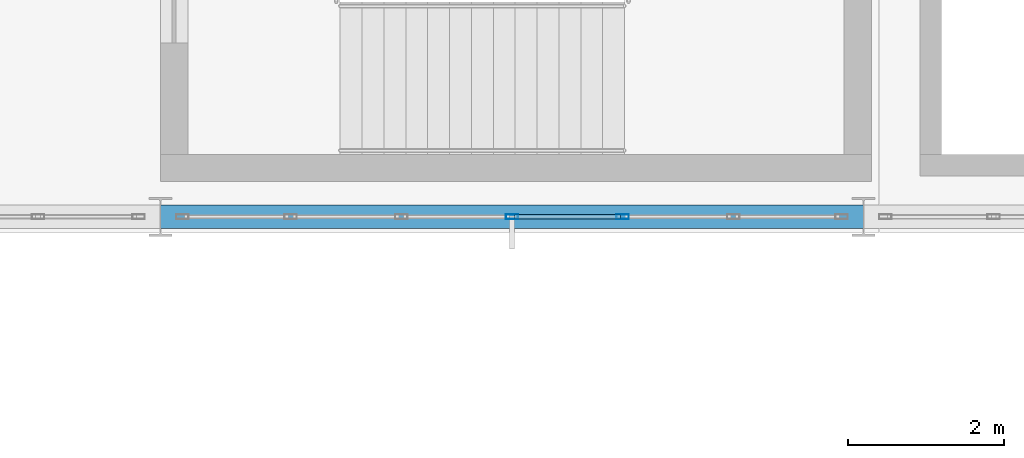
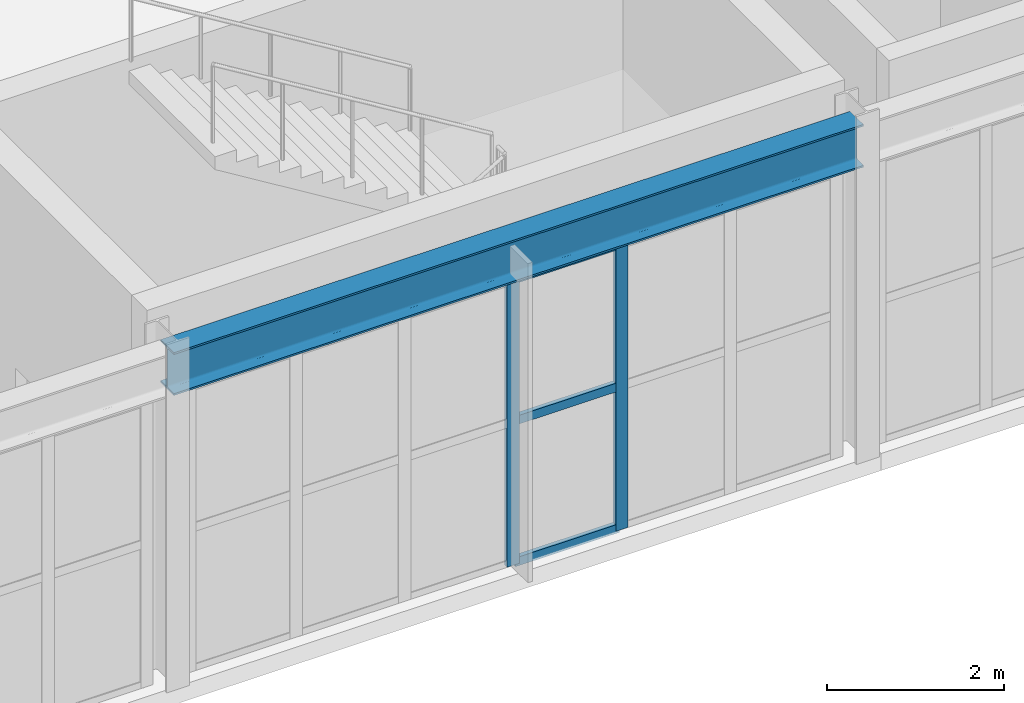
# One storey, part 26 of 112: 5 members, 1 beam, 1 element without a shape of its own.
"""IFC4 building model written with IfcOpenShell, lengths in metres."""

from ifc_helpers import new_model, si_unit, direction, frame, origin, origin_2d, place, context, subcontext, project, spatial, hollow_rectangle, i_section, extrude, material, material_profile, profile_set, type_object, element, aggregate, save


model = new_model("IFC4")

# Units and contexts
model_context = context("Model", 3, precision=1e-05, world=origin(), true_north=direction((0.0, 1.0)))
body_context = subcontext(model_context, "Body", "Model", "MODEL_VIEW")
ifc_project = project(units=[si_unit("LENGTHUNIT", "METRE"), si_unit("AREAUNIT", "SQUARE_METRE"), si_unit("VOLUMEUNIT", "CUBIC_METRE"), si_unit("PLANEANGLEUNIT", "RADIAN"), si_unit("MASSUNIT", "GRAM", prefix="KILO")], contexts=[model_context])

# Site, building, storey
site_placement = place(None, origin())
site = spatial("IfcSite", under=ifc_project, at=site_placement, CompositionType="ELEMENT")
building_placement = place(site_placement, origin())
building = spatial("IfcBuilding", under=site, at=building_placement, Name="Kaldris Quays Convention Centre", CompositionType="ELEMENT")
storey_placement = place(building_placement, frame((0.0, 0.0, 16.800048828125)))
storey = spatial("IfcBuildingStorey", under=building, at=storey_placement, Name="L03", CompositionType="ELEMENT", Elevation=16.800048828125)

# Curtain wall, members
ifc_material_1 = material(Name="Anodized aluminium AW-6060 and triple glazing", Category="aluminium")
curtain_wall_type = type_object("IfcCurtainWallType", Name="UNITISED CURTAIN WALL CW04", PredefinedType="NOTDEFINED", material=ifc_material_1)
curtain_wall_placement = place(storey_placement, origin())
curtain_wall = element("IfcCurtainWall", 1, at=curtain_wall_placement, inside=storey, type_object=curtain_wall_type, Name="L03 Unitised Curtain Wall CW04 122", PredefinedType="NOTDEFINED")
ifc_material_2 = material(Name="Anodized aluminium AW-6060", Category="aluminium")
ifc_material_profile_1 = material_profile(ifc_material_2, hollow_rectangle(XDim=0.06005859375, YDim=0.159912109375, WallThickness=0.00390625, at=origin_2d()), Name="RHS 160x60x4")
ifc_profile_set_1 = profile_set([ifc_material_profile_1], Name="Anodized aluminium AW-6060")
member_type_1 = type_object("IfcMemberType", Name="CURTAIN MULLION CWM1", PredefinedType="MULLION", material=ifc_profile_set_1)
member_1_placement = place(storey_placement, frame((96.5, 38.0, 0.0), z_axis=(0.0, 0.0, 1.0), x_axis=(0.0, 1.0, 0.0)))
member_1 = element("IfcMember", 2, at=member_1_placement, type_object=member_type_1, Name="CW04 mullion 4", PredefinedType="MULLION", context=body_context, shape_type="SweptSolid", body=[
    extrude(hollow_rectangle(XDim=0.06005859375, YDim=0.159912109375, WallThickness=0.00390625, at=origin_2d()), origin(), (0.0, 0.0, 1.0), 3.96484375),
])
member_2_placement = place(storey_placement, frame((97.916748046875, 38.0, 0.0), z_axis=(0.0, 0.0, 1.0), x_axis=(0.0, 1.0, 0.0)))
member_2 = element("IfcMember", 3, at=member_2_placement, type_object=member_type_1, Name="CW04 mullion 5", PredefinedType="MULLION", context=body_context, shape_type="SweptSolid", body=[
    extrude(hollow_rectangle(XDim=0.06005859375, YDim=0.159912109375, WallThickness=0.00390625, at=origin_2d()), origin(), (0.0, 0.0, 1.0), 3.96484375),
])
ifc_material_profile_2 = material_profile(ifc_material_2, hollow_rectangle(XDim=0.06005859375, YDim=0.1201171875, WallThickness=0.00390625, at=origin_2d()), Name="RHS 120x60x4")
ifc_profile_set_2 = profile_set([ifc_material_profile_2], Name="Anodized aluminium AW-6060")
member_type_2 = type_object("IfcMemberType", Name="CURTAIN TRANSOM CWT1", PredefinedType="USERDEFINED", material=ifc_profile_set_2)
member_3_placement = place(storey_placement, frame((96.530029296875, 38.0, 0.030029296875), z_axis=(1.0, 0.0, 0.0), x_axis=(0.0, 1.0, 0.0)))
member_3 = element("IfcMember", 4, at=member_3_placement, type_object=member_type_2, Name="CW04 transom 4.1", ObjectType="TRANSOM", PredefinedType="USERDEFINED", context=body_context, shape_type="SweptSolid", body=[
    extrude(hollow_rectangle(XDim=0.06005859375, YDim=0.1201171875, WallThickness=0.00390625, at=origin_2d()), origin(), (0.0, 0.0, 1.0), 1.356689453125),
])
member_4_placement = place(storey_placement, frame((96.530029296875, 38.0, 1.98193359375), z_axis=(1.0, 0.0, 0.0), x_axis=(0.0, 1.0, 0.0)))
member_4 = element("IfcMember", 5, at=member_4_placement, type_object=member_type_2, Name="CW04 transom 4.2", ObjectType="TRANSOM", PredefinedType="USERDEFINED", context=body_context, shape_type="SweptSolid", body=[
    extrude(hollow_rectangle(XDim=0.06005859375, YDim=0.1201171875, WallThickness=0.00390625, at=origin_2d()), origin(), (0.0, 0.0, 1.0), 1.356689453125),
])
member_5_placement = place(storey_placement, frame((96.530029296875, 38.0, 3.93505859375), z_axis=(1.0, 0.0, 0.0), x_axis=(0.0, 1.0, 0.0)))
member_5 = element("IfcMember", 6, at=member_5_placement, type_object=member_type_2, Name="CW04 transom 4.3", ObjectType="TRANSOM", PredefinedType="USERDEFINED", context=body_context, shape_type="SweptSolid", body=[
    extrude(hollow_rectangle(XDim=0.06005859375, YDim=0.1201171875, WallThickness=0.00390625, at=origin_2d()), origin(), (0.0, 0.0, 1.0), 1.356689453125),
])
aggregate(curtain_wall, [member_1, member_2, member_3, member_4, member_5])

# Beam
ifc_material_3 = material(Name="Steel S355J2", Category="steel")
ifc_material_profile_3 = material_profile(ifc_material_3, i_section(OverallWidth=0.300048828125, OverallDepth=0.590087890625, WebThickness=0.012939453125, FlangeThickness=0.02490234375, FilletRadius=0.027099609375, at=origin_2d()), Name="HEA 600")
ifc_profile_set_3 = profile_set([ifc_material_profile_3], Name="Steel S355J2")
beam_type = type_object("IfcBeamType", Name="STRUCTURAL BEAM BM08", PredefinedType="BEAM", material=ifc_profile_set_3)
beam_placement = place(storey_placement, frame((92.001220703125, 38.0, 4.284912109375), z_axis=(1.0, 0.0, 0.0), x_axis=(0.0, 1.0, 0.0)))
element("IfcBeam", 7, at=beam_placement, inside=storey, type_object=beam_type, Name="L03 Girder BM08 2", PredefinedType="BEAM", context=body_context, shape_type="SweptSolid", body=[
    extrude(i_section(OverallWidth=0.300048828125, OverallDepth=0.590087890625, WebThickness=0.012939453125, FlangeThickness=0.02490234375, FilletRadius=0.027099609375, at=origin_2d()), origin(), (0.0, 0.0, 1.0), 8.99755859375),
])

save(model, "model.ifc")
